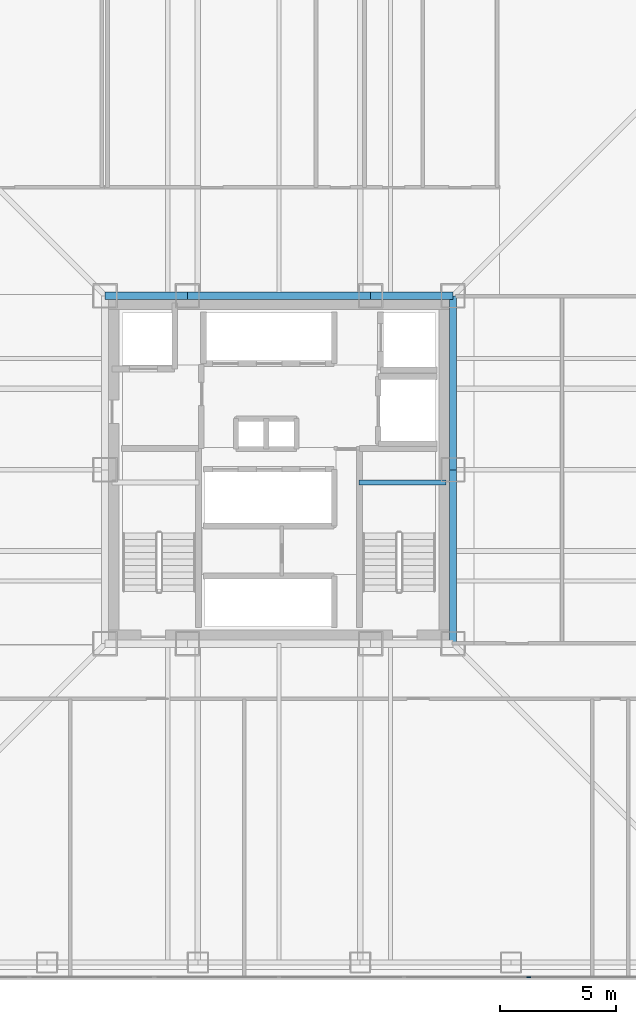
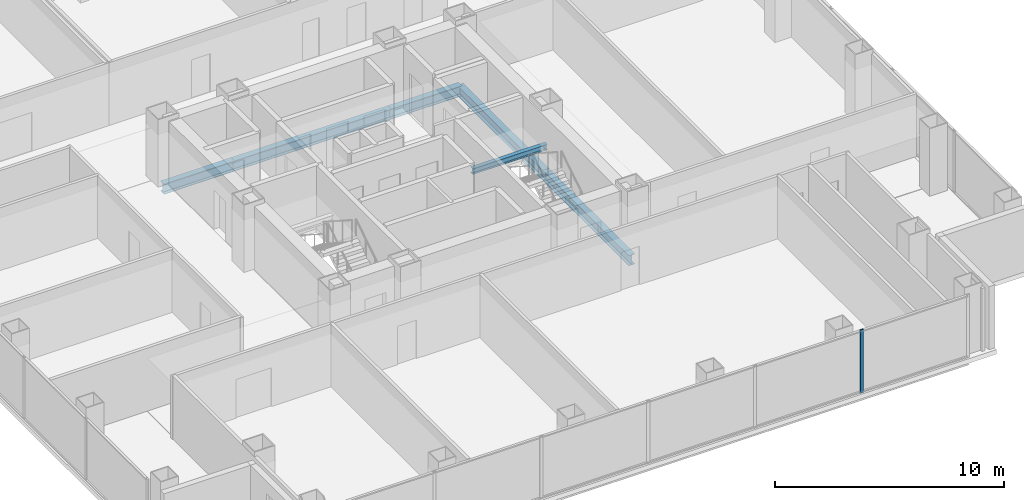
# One storey, part 5 of 14: 6 beams, 1 member, 1 element without a shape of its own.
"""IFC4 building model written with IfcOpenShell, lengths in metres."""

from ifc_helpers import new_model, si_unit, direction, frame, origin, origin_2d, place, context, subcontext, project, spatial, rectangle, i_section, extrude, material, layer, layer_set, material_profile, profile_set, type_object, element, aggregate, save


model = new_model("IFC4")

# Units and contexts
model_context = context("Model", 3, precision=1e-05, world=origin(), true_north=direction((0.0, 1.0)))
body_context = subcontext(model_context, "Body", "Model", "MODEL_VIEW")
ifc_project = project(units=[si_unit("LENGTHUNIT", "METRE"), si_unit("AREAUNIT", "SQUARE_METRE"), si_unit("VOLUMEUNIT", "CUBIC_METRE"), si_unit("PLANEANGLEUNIT", "RADIAN"), si_unit("MASSUNIT", "GRAM", prefix="KILO")], contexts=[model_context])

# Site, building, storey
site_placement = place(None, origin())
site = spatial("IfcSite", under=ifc_project, at=site_placement, CompositionType="ELEMENT")
building_placement = place(site_placement, origin())
building = spatial("IfcBuilding", under=site, at=building_placement, Name="Trevonay Congress Spire", CompositionType="ELEMENT")
storey_placement = place(building_placement, frame((0.0, 0.0, 97.60009765625)))
storey = spatial("IfcBuildingStorey", under=building, at=storey_placement, Name="L24", CompositionType="ELEMENT", Elevation=97.60009765625)

# Beams
ifc_material_1 = material(Name="Steel ASTM A572 Grade 50", Category="steel")
ifc_material_profile_1 = material_profile(ifc_material_1, i_section(OverallWidth=0.31201171875, OverallDepth=0.54296875, WebThickness=0.0126953125, FlangeThickness=0.020263671875, FilletRadius=0.014892578125, at=origin_2d()), Name="W530x150")
ifc_profile_set_1 = profile_set([ifc_material_profile_1], Name="Steel ASTM A572 Grade 50")
beam_type_1 = type_object("IfcBeamType", Name="BM-GIRD-W530X150", PredefinedType="BEAM", material=ifc_profile_set_1)
beam_1_placement = place(storey_placement, frame((-7.5, 7.5, -0.51171875), z_axis=(1.0, 0.0, 0.0), x_axis=(0.0, 1.0, 0.0)))
element("IfcBeam", 1, at=beam_1_placement, inside=storey, type_object=beam_type_1, Name="L24 structural beam BM-L24-CR-N1", PredefinedType="BEAM", context=body_context, shape_type="SweptSolid", body=[
    extrude(i_section(OverallWidth=0.31201171875, OverallDepth=0.54296875, WebThickness=0.0126953125, FlangeThickness=0.020263671875, FilletRadius=0.014892578125, at=origin_2d()), origin(), (0.0, 0.0, 1.0), 3.550048828125),
])
beam_2_placement = place(storey_placement, frame((-3.949951171875, 7.5, -0.51171875), z_axis=(1.0, 0.0, 0.0), x_axis=(0.0, 1.0, 0.0)))
element("IfcBeam", 2, at=beam_2_placement, inside=storey, type_object=beam_type_1, Name="L24 structural beam BM-L24-CR-N2", PredefinedType="BEAM", context=body_context, shape_type="SweptSolid", body=[
    extrude(i_section(OverallWidth=0.31201171875, OverallDepth=0.54296875, WebThickness=0.0126953125, FlangeThickness=0.020263671875, FilletRadius=0.014892578125, at=origin_2d()), origin(), (0.0, 0.0, 1.0), 7.89990234375),
])
beam_3_placement = place(storey_placement, frame((3.949951171875, 7.5, -0.51171875), z_axis=(1.0, 0.0, 0.0), x_axis=(0.0, 1.0, 0.0)))
element("IfcBeam", 3, at=beam_3_placement, inside=storey, type_object=beam_type_1, Name="L24 structural beam BM-L24-CR-N3", PredefinedType="BEAM", context=body_context, shape_type="SweptSolid", body=[
    extrude(i_section(OverallWidth=0.31201171875, OverallDepth=0.54296875, WebThickness=0.0126953125, FlangeThickness=0.020263671875, FilletRadius=0.014892578125, at=origin_2d()), origin(), (0.0, 0.0, 1.0), 3.550048828125),
])
for number, where, z_axis, x_axis, name in (
    (4, (7.5, -7.5, -0.51171875), (0.0, 1.0, 0.0), (-1.0, 0.0, 0.0), "L24 structural beam BM-L24-CR-E1"),
    (5, (7.5, 0.0, -0.51171875), (0.0, 1.0, 0.0), (-1.0, 0.0, 0.0), "L24 structural beam BM-L24-CR-E2"),
):
    element("IfcBeam", number, at=place(storey_placement, frame(where, z_axis=z_axis, x_axis=x_axis)), inside=storey, type_object=beam_type_1, Name=name, PredefinedType="BEAM", context=body_context, shape_type="SweptSolid", body=[
        extrude(i_section(OverallWidth=0.31201171875, OverallDepth=0.54296875, WebThickness=0.0126953125, FlangeThickness=0.020263671875, FilletRadius=0.014892578125, at=origin_2d()), origin(), (0.0, 0.0, 1.0), 7.5),
    ])

# Curtain wall, member
ifc_material_2 = material(Name="Pale Anodised Aluminium EN AW-6063-T6", Category="aluminium")
ifc_layer = layer(ifc_material_2, 0.175048828125, Name="Pale Anodised Aluminium EN AW-6063-T6")
ifc_layer_set = layer_set([ifc_layer], Name="Pale Anodised Aluminium EN AW-6063-T6")
curtain_wall_type = type_object("IfcCurtainWallType", Name="CW-SYS03-CONGRESS-PALE-METAL", PredefinedType="NOTDEFINED", material=ifc_layer_set)
curtain_wall_placement = place(storey_placement, origin())
curtain_wall = element("IfcCurtainWall", 6, at=curtain_wall_placement, inside=storey, type_object=curtain_wall_type, Name="L24 S unitised curtain wall", PredefinedType="NOTDEFINED")
ifc_material_profile_2 = material_profile(ifc_material_2, rectangle(XDim=0.06005859375, YDim=0.159912109375, at=origin_2d()), Name="CW-MULLION-160-ALUMINIUM")
ifc_profile_set_2 = profile_set([ifc_material_profile_2], Name="Pale Anodised Aluminium EN AW-6063-T6")
member_type = type_object("IfcMemberType", Name="CW-MULLION-160-ALUMINIUM", PredefinedType="MULLION", material=ifc_profile_set_2)
member_placement = place(storey_placement, frame((10.7666015625, -21.8798828125, 0.0), z_axis=(0.0, 0.0, 1.0), x_axis=(0.0, 1.0, 0.0)))
member = element("IfcMember", 7, at=member_placement, type_object=member_type, Name="CW03 mullion 6", PredefinedType="MULLION", context=body_context, shape_type="SweptSolid", body=[
    extrude(rectangle(XDim=0.06005859375, YDim=0.159912109375, at=origin_2d()), origin(), (0.0, 0.0, 1.0), 3.35986328125),
])
aggregate(curtain_wall, [member])

# Beam
ifc_material_profile_3 = material_profile(ifc_material_1, i_section(OverallWidth=0.2041015625, OverallDepth=0.305908203125, WebThickness=0.008544921875, FlangeThickness=0.0146484375, FilletRadius=0.010986328125, at=origin_2d()), Name="W310x67")
ifc_profile_set_3 = profile_set([ifc_material_profile_3], Name="Steel ASTM A572 Grade 50")
beam_type_2 = type_object("IfcBeamType", Name="LN-CORE-W310X67", PredefinedType="LINTEL", material=ifc_profile_set_3)
beam_4_placement = place(storey_placement, frame((3.449951171875, -0.550048828125, 1.447021484375), z_axis=(1.0, 0.0, 0.0), x_axis=(0.0, 1.0, 0.0)))
element("IfcBeam", 8, at=beam_4_placement, inside=storey, type_object=beam_type_2, Name="L24 structural beam BM-L24-HL-ST2", PredefinedType="LINTEL", context=body_context, shape_type="SweptSolid", body=[
    extrude(i_section(OverallWidth=0.2041015625, OverallDepth=0.305908203125, WebThickness=0.008544921875, FlangeThickness=0.0146484375, FilletRadius=0.010986328125, at=origin_2d()), origin(), (0.0, 0.0, 1.0), 3.75),
])

save(model, "model.ifc")
